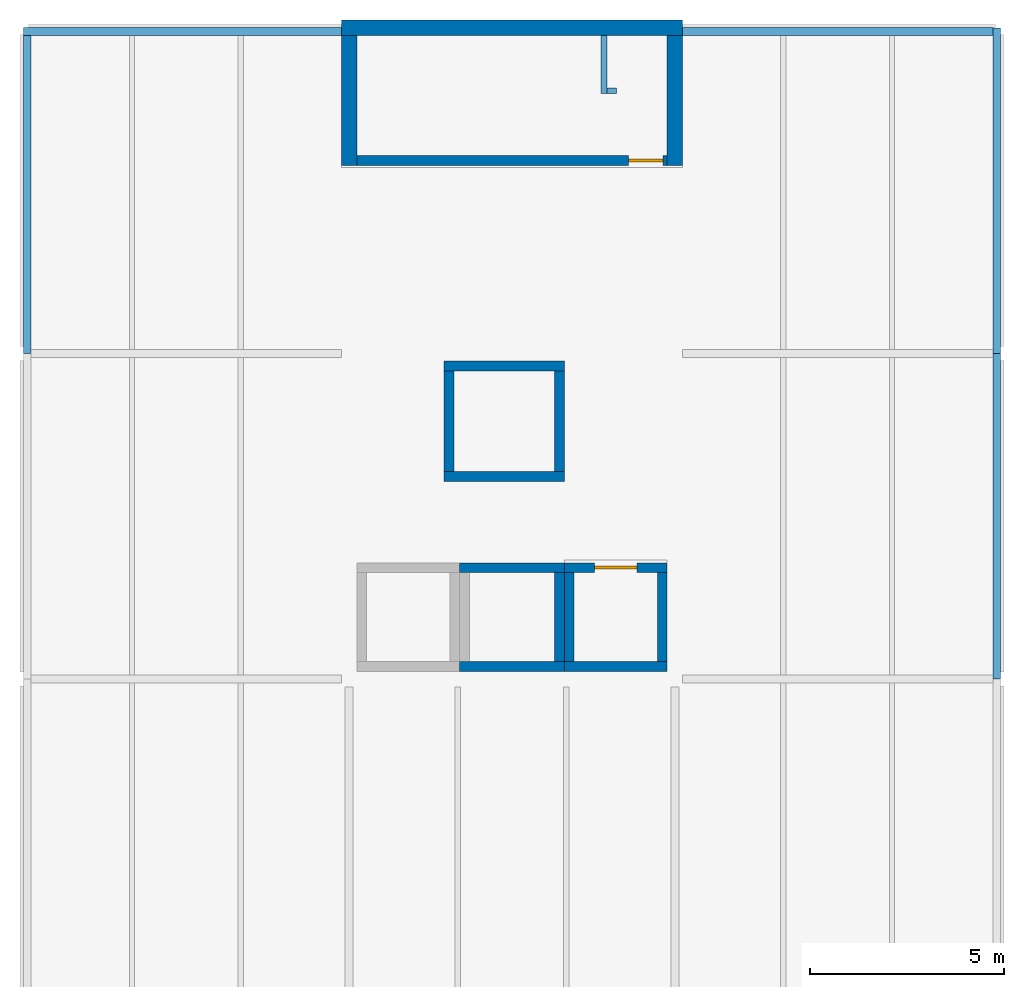
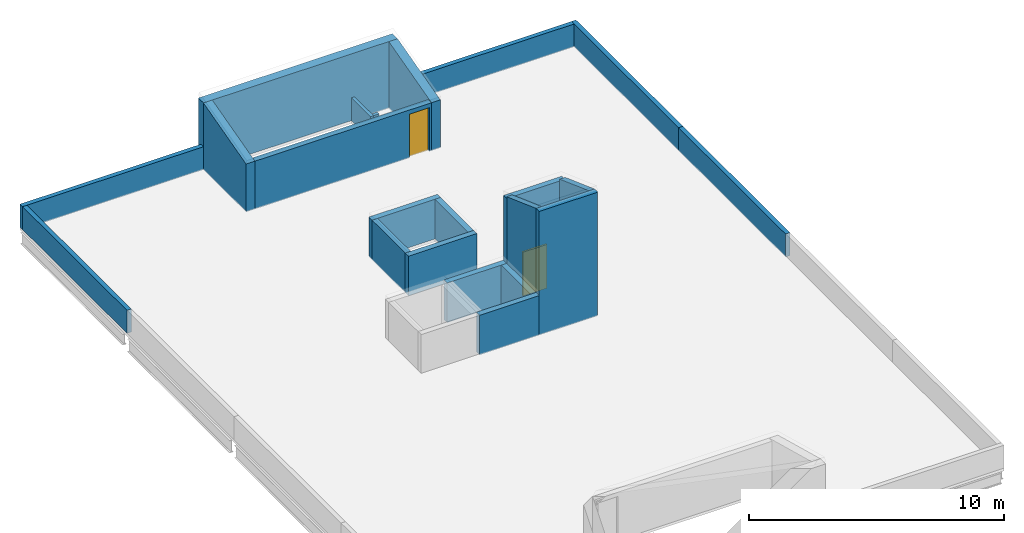
# One storey, part 2 of 3: 22 walls, 2 doors, 2 openings.
"""IFC4 building model written with IfcOpenShell, lengths in metres."""

from ifc_helpers import new_model, si_unit, direction, frame, frame_2d, origin, place, context, subcontext, project, spatial, polyline, rectangle, outline, extrude, material, layer, layer_set, type_object, element, fill, save


model = new_model("IFC4")

# Units and contexts
model_context = context("Model", 3, precision=1e-05, world=origin(), true_north=direction((0.0, 1.0)))
body_context = subcontext(model_context, "Body", "Model", "MODEL_VIEW")
ifc_project = project(units=[si_unit("LENGTHUNIT", "METRE"), si_unit("AREAUNIT", "SQUARE_METRE"), si_unit("VOLUMEUNIT", "CUBIC_METRE"), si_unit("PLANEANGLEUNIT", "RADIAN"), si_unit("MASSUNIT", "GRAM", prefix="KILO")], contexts=[model_context])

# Site, building, storey
site_placement = place(None, origin())
site = spatial("IfcSite", under=ifc_project, at=site_placement, CompositionType="ELEMENT")
building_placement = place(site_placement, origin())
building = spatial("IfcBuilding", under=site, at=building_placement, Name="Hlaing Beacon Police Headquarters", CompositionType="ELEMENT")
storey_placement = place(building_placement, frame((0.0, 0.0, 41.39990234375)))
storey = spatial("IfcBuildingStorey", under=building, at=storey_placement, Name="ROOF", CompositionType="ELEMENT", Elevation=41.39990234375)

# Walls
ifc_material_1 = material(Name="Concrete C40/50", Category="concrete")
ifc_layer_1 = layer(ifc_material_1, 0.39990234375)
ifc_layer_set_1 = layer_set([ifc_layer_1], Name="Concrete C40/50")
wall_type_1 = type_object("IfcWallType", Name="Head-house wall 400", PredefinedType="SOLIDWALL", material=ifc_layer_set_1)
wall_1_placement = place(storey_placement, frame((117.800048828125, 67.199951171875, 0.0), z_axis=(0.0, 0.0, 1.0), x_axis=(-1.0, 0.0, 0.0)))
element("IfcWall", 1, at=wall_1_placement, inside=storey, type_object=wall_type_1, Name="Stair head-house wall", PredefinedType="SOLIDWALL", context=body_context, shape_type="SweptSolid", body=[
    extrude(rectangle(XDim=8.800048828125, YDim=0.39990234375, at=frame_2d((4.39990234375, 0.0))), origin(), (0.0, 0.0, 1.0), 3.19775390625),
])
for number, where, z_axis, x_axis, name in (
    (2, (117.60009765625, 67.0, 0.0), (0.0, 0.0, 1.0), (0.0, -1.0, 0.0), "Stair head-house wall"),
    (3, (109.199951171875, 67.0, 0.0), (0.0, 0.0, 1.0), (0.0, -1.0, 0.0), "Stair head-house wall"),
):
    element("IfcWall", number, at=place(storey_placement, frame(where, z_axis=z_axis, x_axis=x_axis)), inside=storey, type_object=wall_type_1, Name=name, PredefinedType="SOLIDWALL", context=body_context, shape_type="SweptSolid", body=[
        extrude(outline(polyline([(0.0, 0.0), (3.35009765625, 0.0), (3.35009765625, 2.300048828125), (0.0, 3.19775390625), (0.0, 0.0)])), frame((0.0, 0.199951171875, 0.0), z_axis=(0.0, -1.0, 0.0), x_axis=(1.0, 0.0, 0.0)), (0.0, 0.0, 1.0), 0.39990234375),
    ])
ifc_material_2 = material(Name="Concrete C40/50", Category="concrete")
ifc_layer_2 = layer(ifc_material_2, 0.199951171875)
ifc_layer_set_2 = layer_set([ifc_layer_2], Name="Concrete C40/50")
wall_type_2 = type_object("IfcWallType", Name="Roof parapet 200", PredefinedType="PARAPET", material=ifc_layer_set_2)
wall_2_placement = place(storey_placement, frame((125.89990234375, 50.39990234375, 0.0), z_axis=(0.0, 0.0, 1.0), x_axis=(0.0, 1.0, 0.0)))
element("IfcWall", 4, at=wall_2_placement, inside=storey, type_object=wall_type_2, Name="Roof parapet V5 2", PredefinedType="PARAPET", context=body_context, shape_type="SweptSolid", body=[
    extrude(rectangle(XDim=8.400146484375, YDim=0.199951171875, at=frame_2d((4.2001953125, 0.0))), origin(), (0.0, 0.0, 1.0), 1.10009765625),
])
wall_3_placement = place(storey_placement, frame((125.89990234375, 58.800048828125, 0.0), z_axis=(0.0, 0.0, 1.0), x_axis=(0.0, 1.0, 0.0)))
element("IfcWall", 5, at=wall_3_placement, inside=storey, type_object=wall_type_2, Name="Roof parapet V5 3", PredefinedType="PARAPET", context=body_context, shape_type="SweptSolid", body=[
    extrude(rectangle(XDim=8.39990234375, YDim=0.199951171875, at=frame_2d((4.199951171875, 0.0))), origin(), (0.0, 0.0, 1.0), 1.10009765625),
])
wall_4_placement = place(storey_placement, frame((125.800048828125, 67.10009765625, 0.0), z_axis=(0.0, 0.0, 1.0), x_axis=(-1.0, 0.0, 0.0)))
element("IfcWall", 6, at=wall_4_placement, inside=storey, type_object=wall_type_2, Name="Roof parapet V5 4", PredefinedType="PARAPET", context=body_context, shape_type="SweptSolid", body=[
    extrude(rectangle(XDim=8.0, YDim=0.199951171875, at=frame_2d((4.0, 0.0))), origin(), (0.0, 0.0, 1.0), 1.10009765625),
])
for number, where, z_axis, x_axis, name in (
    (7, (109.0, 67.10009765625, 0.0), (0.0, 0.0, 1.0), (-1.0, 0.0, 0.0), "Roof parapet V5 5"),
    (8, (100.89990234375, 67.0, 0.0), (0.0, 0.0, 1.0), (0.0, -1.0, 0.0), "Roof parapet V5 6"),
):
    element("IfcWall", number, at=place(storey_placement, frame(where, z_axis=z_axis, x_axis=x_axis)), inside=storey, type_object=wall_type_2, Name=name, PredefinedType="PARAPET", context=body_context, shape_type="SweptSolid", body=[
        extrude(rectangle(XDim=8.199951171875, YDim=0.199951171875, at=frame_2d((4.10009765625, 0.0))), origin(), (0.0, 0.0, 1.0), 1.10009765625),
    ])

# Wall, opening, door
ifc_material_3 = material(Name="Concrete C40/50", Category="concrete")
ifc_layer_3 = layer(ifc_material_3, 0.25)
ifc_layer_set_3 = layer_set([ifc_layer_3], Name="Concrete C40/50")
wall_type_3 = type_object("IfcWallType", Name="Shaft wall 250", PredefinedType="SOLIDWALL", material=ifc_layer_set_3)
wall_5_placement = place(storey_placement, frame((117.39990234375, 63.77490234375, 0.0), z_axis=(0.0, 0.0, 1.0), x_axis=(-1.0, 0.0, 0.0)))
wall_5 = element("IfcWall", 9, at=wall_5_placement, inside=storey, type_object=wall_type_3, Name="Stair head-house wall", PredefinedType="SOLIDWALL", context=body_context, shape_type="SweptSolid", body=[
    extrude(rectangle(XDim=8.0, YDim=0.25, at=frame_2d((4.0, 0.0))), origin(), (0.0, 0.0, 1.0), 2.300048828125),
])
opening_1_placement = place(wall_5_placement, frame((0.10009765625, 0.0, 0.0)))
opening_1 = element("IfcOpeningElement", 10, at=opening_1_placement, cuts=wall_5, Name="Opening ROOF-901", PredefinedType="OPENING", context=body_context, shape_type="SweptSolid", body=[
    extrude(rectangle(XDim=0.89990234375, YDim=2.10009765625, at=frame_2d((0.449951171875, 1.050048828125))), frame((0.0, 0.135009765625, 0.0), z_axis=(0.0, -1.0, 0.0), x_axis=(1.0, 0.0, 0.0)), (0.0, 0.0, 1.0), 0.27001953125),
])
ifc_material_4 = material(Name="Steel fire door leaf", Category="steel")
ifc_layer_4 = layer(ifc_material_4, 0.070068359375)
ifc_layer_set_4 = layer_set([ifc_layer_4], Name="Steel fire door leaf")
door_type_1 = type_object("IfcDoorType", Name="Steel fire door FD60 900x2100", OperationType="SINGLE_SWING_LEFT", PredefinedType="DOOR", material=ifc_layer_set_4)
door_1_placement = place(opening_1_placement, origin())
door_1 = element("IfcDoor", 11, at=door_1_placement, inside=storey, type_object=door_type_1, Name="Door Stair ST-M Roof", OperationType="SINGLE_SWING_RIGHT", OverallHeight=2.10009765625, OverallWidth=0.89990234375, PredefinedType="DOOR", context=body_context, shape_type="SweptSolid", body=[
    extrude(rectangle(XDim=0.89990234375, YDim=2.10009765625, at=frame_2d((0.449951171875, 1.050048828125))), frame((0.0, 0.03515625, 0.0), z_axis=(0.0, -1.0, 0.0), x_axis=(1.0, 0.0, 0.0)), (0.0, 0.0, 1.0), 0.070068359375),
])
fill(opening_1, door_1)

# Walls
wall_6_placement = place(storey_placement, frame((114.625, 55.75, 0.0), z_axis=(0.0, 0.0, 1.0), x_axis=(0.0, 1.0, 0.0)))
element("IfcWall", 12, at=wall_6_placement, inside=storey, type_object=wall_type_3, Name="Lift overrun wall", PredefinedType="SOLIDWALL", context=body_context, shape_type="SweptSolid", body=[
    extrude(rectangle(XDim=2.60009765625, YDim=0.25, at=frame_2d((1.300048828125, 0.0))), origin(), (0.0, 0.0, 1.0), 1.900146484375),
])
for number, where, z_axis, x_axis, name in (
    (13, (111.64990234375, 58.47509765625, 0.0), (0.0, 0.0, 1.0), (1.0, 0.0, 0.0), "Lift overrun wall"),
    (14, (111.64990234375, 55.625, 0.0), (0.0, 0.0, 1.0), (1.0, 0.0, 0.0), "Lift overrun wall"),
):
    element("IfcWall", number, at=place(storey_placement, frame(where, z_axis=z_axis, x_axis=x_axis)), inside=storey, type_object=wall_type_3, Name=name, PredefinedType="SOLIDWALL", context=body_context, shape_type="SweptSolid", body=[
        extrude(rectangle(XDim=3.10009765625, YDim=0.25, at=frame_2d((1.550048828125, 0.0))), origin(), (0.0, 0.0, 1.0), 1.900146484375),
    ])
wall_7_placement = place(storey_placement, frame((111.77490234375, 55.75, 0.0), z_axis=(0.0, 0.0, 1.0), x_axis=(0.0, 1.0, 0.0)))
element("IfcWall", 15, at=wall_7_placement, inside=storey, type_object=wall_type_3, Name="Lift overrun wall", PredefinedType="SOLIDWALL", context=body_context, shape_type="SweptSolid", body=[
    extrude(rectangle(XDim=2.60009765625, YDim=0.25, at=frame_2d((1.300048828125, 0.0))), origin(), (0.0, 0.0, 1.0), 1.900146484375),
])
wall_8_placement = place(storey_placement, frame((114.625, 50.85009765625, 0.0), z_axis=(0.0, 0.0, 1.0), x_axis=(0.0, 1.0, 0.0)))
element("IfcWall", 16, at=wall_8_placement, inside=storey, type_object=wall_type_3, Name="Lift overrun wall", PredefinedType="SOLIDWALL", context=body_context, shape_type="SweptSolid", body=[
    extrude(rectangle(XDim=2.2998046875, YDim=0.25, at=frame_2d((1.14990234375, 0.0))), origin(), (0.0, 0.0, 1.0), 1.900146484375),
])
for number, where, z_axis, x_axis, name in (
    (17, (112.050048828125, 53.27490234375, 0.0), (0.0, 0.0, 1.0), (1.0, 0.0, 0.0), "Lift overrun wall"),
    (18, (112.050048828125, 50.72509765625, 0.0), (0.0, 0.0, 1.0), (1.0, 0.0, 0.0), "Lift overrun wall"),
):
    element("IfcWall", number, at=place(storey_placement, frame(where, z_axis=z_axis, x_axis=x_axis)), inside=storey, type_object=wall_type_3, Name=name, PredefinedType="SOLIDWALL", context=body_context, shape_type="SweptSolid", body=[
        extrude(rectangle(XDim=2.699951171875, YDim=0.25, at=frame_2d((1.35009765625, 0.0))), origin(), (0.0, 0.0, 1.0), 1.900146484375),
    ])
wall_9_placement = place(storey_placement, frame((114.75, 50.72509765625, 0.0), z_axis=(0.0, 0.0, 1.0), x_axis=(1.0, 0.0, 0.0)))
element("IfcWall", 19, at=wall_9_placement, inside=storey, type_object=wall_type_3, Name="Lift penthouse wall", PredefinedType="SOLIDWALL", context=body_context, shape_type="SweptSolid", body=[
    extrude(rectangle(XDim=2.64990234375, YDim=0.25, at=frame_2d((1.324951171875, 0.0))), origin(), (0.0, 0.0, 1.0), 5.92822265625),
])

# Wall, opening, door
wall_10_placement = place(storey_placement, frame((114.75, 53.27490234375, 0.0), z_axis=(0.0, 0.0, 1.0), x_axis=(1.0, 0.0, 0.0)))
wall_10 = element("IfcWall", 20, at=wall_10_placement, inside=storey, type_object=wall_type_3, Name="Lift penthouse wall", PredefinedType="SOLIDWALL", context=body_context, shape_type="SweptSolid", body=[
    extrude(rectangle(XDim=2.64990234375, YDim=0.25, at=frame_2d((1.324951171875, 0.0))), origin(), (0.0, 0.0, 1.0), 5.0),
])
opening_2_placement = place(wall_10_placement, frame((0.77490234375, 0.0, 0.0)))
opening_2 = element("IfcOpeningElement", 21, at=opening_2_placement, cuts=wall_10, Name="Opening LD-PL9-ROOF", PredefinedType="OPENING", context=body_context, shape_type="SweptSolid", body=[
    extrude(rectangle(XDim=1.10009765625, YDim=2.10009765625, at=frame_2d((0.550048828125, 1.050048828125))), frame((0.0, 0.135009765625, 0.0), z_axis=(0.0, -1.0, 0.0), x_axis=(1.0, 0.0, 0.0)), (0.0, 0.0, 1.0), 0.27001953125),
])
ifc_material_5 = material(Name="Stainless steel lift landing door", Category="steel")
ifc_layer_5 = layer(ifc_material_5, 0.06005859375)
ifc_layer_set_5 = layer_set([ifc_layer_5], Name="Stainless steel lift landing door")
door_type_2 = type_object("IfcDoorType", Name="Lift landing door 1100x2100", OperationType="DOUBLE_DOOR_SLIDING", PredefinedType="DOOR", material=ifc_layer_set_5)
door_2_placement = place(opening_2_placement, origin())
door_2 = element("IfcDoor", 22, at=door_2_placement, inside=storey, type_object=door_type_2, Name="Landing door PL9 ROOF", OperationType="DOUBLE_DOOR_SLIDING", OverallHeight=2.10009765625, OverallWidth=1.10009765625, PredefinedType="DOOR", context=body_context, shape_type="SweptSolid", body=[
    extrude(rectangle(XDim=1.10009765625, YDim=2.10009765625, at=frame_2d((0.550048828125, 1.050048828125))), frame((0.0, 0.0400390625, 0.0), z_axis=(0.0, -1.0, 0.0), x_axis=(1.0, 0.0, 0.0)), (0.0, 0.0, 1.0), 0.080078125),
])
fill(opening_2, door_2)

# Walls
for number, where, z_axis, x_axis, name in (
    (23, (114.875, 50.85009765625, 0.0), (0.0, 0.0, 1.0), (0.0, 1.0, 0.0), "Lift penthouse wall"),
    (24, (117.27490234375, 50.85009765625, 0.0), (0.0, 0.0, 1.0), (0.0, 1.0, 0.0), "Lift penthouse wall"),
):
    element("IfcWall", number, at=place(storey_placement, frame(where, z_axis=z_axis, x_axis=x_axis)), inside=storey, type_object=wall_type_3, Name=name, PredefinedType="SOLIDWALL", context=body_context, shape_type="SweptSolid", body=[
        extrude(outline(polyline([(0.0, 0.0), (2.2998046875, 0.0), (2.300048828125, 5.091064453125), (0.0, 5.92822265625), (0.0, 0.0)])), frame((0.0, 0.125, 0.0), z_axis=(0.0, -1.0, 0.0), x_axis=(1.0, 0.0, 0.0)), (0.0, 0.0, 1.0), 0.25),
    ])
ifc_material_6 = material(Name="Concrete C40/50", Category="concrete")
ifc_layer_6 = layer(ifc_material_6, 0.14990234375)
ifc_layer_set_6 = layer_set([ifc_layer_6], Name="Concrete C40/50")
wall_type_4 = type_object("IfcWallType", Name="Stair well upstand wall 150", PredefinedType="SOLIDWALL", material=ifc_layer_set_6)
wall_11_placement = place(storey_placement, frame((115.77490234375, 67.0, 0.0), z_axis=(0.0, 0.0, 1.0), x_axis=(0.0, -1.0, 0.0)))
element("IfcWall", 25, at=wall_11_placement, inside=storey, type_object=wall_type_4, Name="Stair well upstand ST-M", PredefinedType="SOLIDWALL", context=body_context, shape_type="SweptSolid", body=[
    extrude(rectangle(XDim=1.5, YDim=0.14990234375, at=frame_2d((0.75, 0.0))), origin(), (0.0, 0.0, 1.0), 1.10009765625),
])
wall_12_placement = place(storey_placement, frame((116.10009765625, 65.574951171875, 0.0), z_axis=(0.0, 0.0, 1.0), x_axis=(-1.0, 0.0, 0.0)))
element("IfcWall", 26, at=wall_12_placement, inside=storey, type_object=wall_type_4, Name="Stair well upstand ST-M", PredefinedType="SOLIDWALL", context=body_context, shape_type="SweptSolid", body=[
    extrude(rectangle(XDim=0.25, YDim=0.14990234375, at=frame_2d((0.125, 0.0))), origin(), (0.0, 0.0, 1.0), 1.10009765625),
])

save(model, "model.ifc")
